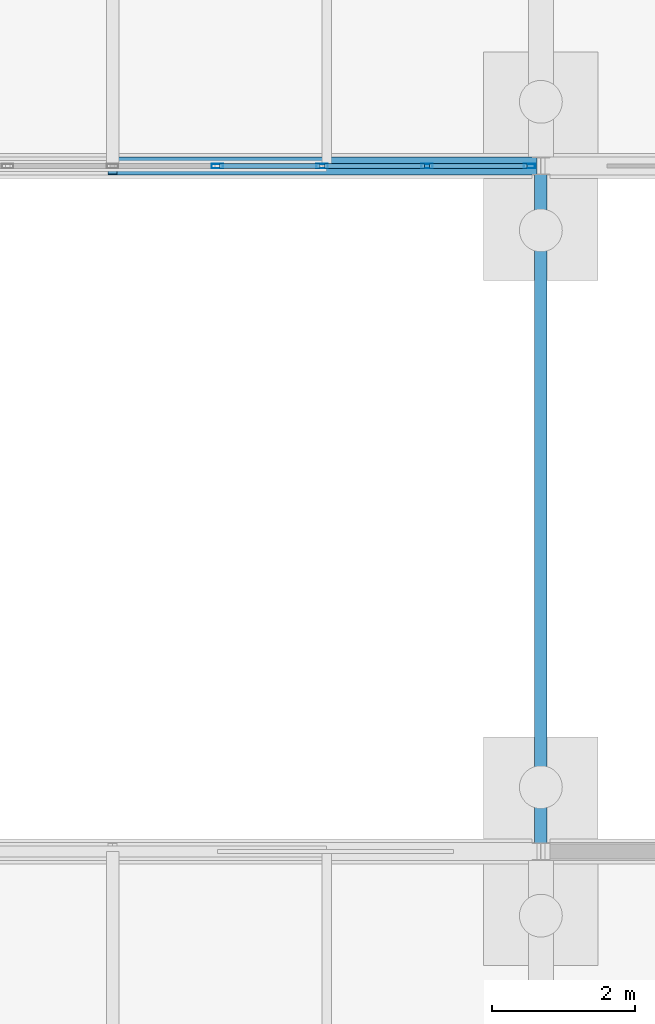
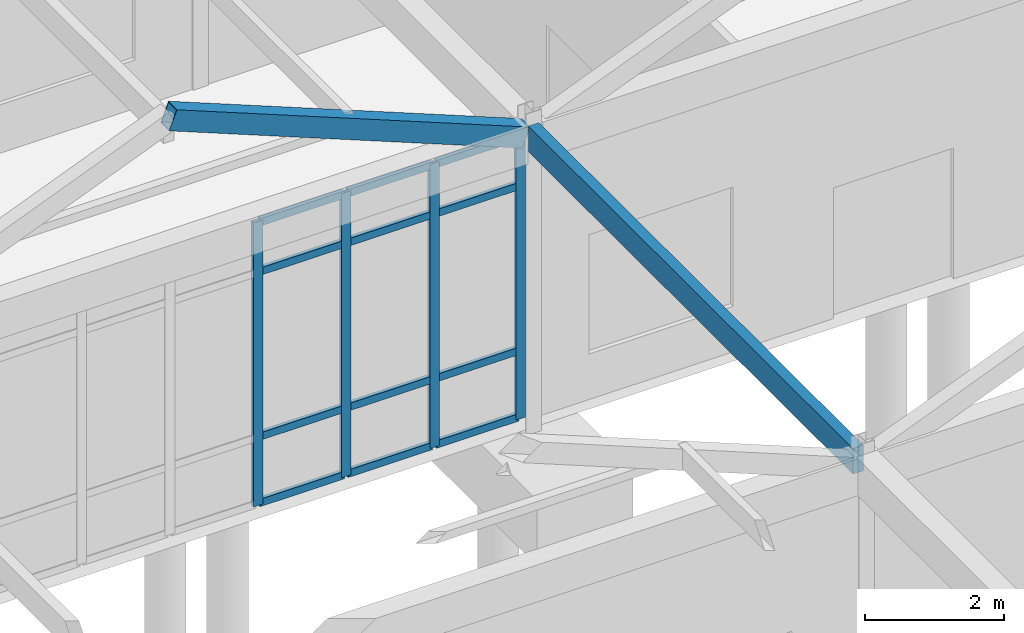
# One storey, part 63 of 188: 18 members, 1 element without a shape of its own.
"""IFC4 building model written with IfcOpenShell, lengths in metres."""

from ifc_helpers import new_model, si_unit, direction, frame, origin, origin_2d, place, context, subcontext, project, spatial, rectangle, hollow_rectangle, extrude, material, layer, layer_set, material_profile, profile_set, type_object, element, aggregate, save


model = new_model("IFC4")

# Units and contexts
model_context = context("Model", 3, precision=1e-05, world=origin(), true_north=direction((0.0, 1.0)))
body_context = subcontext(model_context, "Body", "Model", "MODEL_VIEW")
ifc_project = project(units=[si_unit("LENGTHUNIT", "METRE"), si_unit("AREAUNIT", "SQUARE_METRE"), si_unit("VOLUMEUNIT", "CUBIC_METRE"), si_unit("PLANEANGLEUNIT", "RADIAN"), si_unit("MASSUNIT", "GRAM", prefix="KILO")], contexts=[model_context])

# Site, building, storey
site_placement = place(None, origin())
site = spatial("IfcSite", under=ifc_project, at=site_placement, CompositionType="ELEMENT")
building_placement = place(site_placement, origin())
building = spatial("IfcBuilding", under=site, at=building_placement, Name="Pandanus Reach Market Hall", CompositionType="ELEMENT")
storey_placement = place(building_placement, origin())
storey = spatial("IfcBuildingStorey", under=building, at=storey_placement, Name="L00", CompositionType="ELEMENT", Elevation=0.0)

# Curtain wall, members
ifc_material_1 = material(Name="Bronze anodised aluminium and low-E glass", Category="aluminium")
ifc_layer = layer(ifc_material_1, 0.159912109375, Name="CW-07")
ifc_layer_set = layer_set([ifc_layer], Name="Bronze anodised aluminium and low-E glass")
curtain_wall_type = type_object("IfcCurtainWallType", Name="CW-07", PredefinedType="NOTDEFINED", material=ifc_layer_set)
curtain_wall_placement = place(storey_placement, origin())
curtain_wall = element("IfcCurtainWall", 1, at=curtain_wall_placement, inside=storey, type_object=curtain_wall_type, Name="Glazed curtain wall CW-07 CW-0044", PredefinedType="NOTDEFINED")
ifc_material_2 = material(Name="Bronze anodised aluminium", Category="aluminium")
ifc_material_profile_1 = material_profile(ifc_material_2, hollow_rectangle(XDim=0.06494140625, YDim=0.159912109375, WallThickness=0.00390625, at=origin_2d()), Name="ALU65x160", Category="LoadBearing")
ifc_profile_set_1 = profile_set([ifc_material_profile_1], Name="Bronze anodised aluminium")
member_type_1 = type_object("IfcMemberType", Name="CW-M1", PredefinedType="MULLION", material=ifc_profile_set_1)
member_1_placement = place(storey_placement, frame((7.46826171875, 76.800048828125, 0.0), z_axis=(0.0, 0.0, 1.0), x_axis=(0.0, 1.0, 0.0)))
member_1 = element("IfcMember", 2, at=member_1_placement, type_object=member_type_1, Name="CW-07 mullion 6", PredefinedType="MULLION", context=body_context, shape_type="SweptSolid", body=[
    extrude(hollow_rectangle(XDim=0.06494140625, YDim=0.159912109375, WallThickness=0.00390625, at=origin_2d()), origin(), (0.0, 0.0, 1.0), 5.0),
])
member_2_placement = place(storey_placement, frame((8.9365234375, 76.800048828125, 0.0), z_axis=(0.0, 0.0, 1.0), x_axis=(0.0, 1.0, 0.0)))
member_2 = element("IfcMember", 3, at=member_2_placement, type_object=member_type_1, Name="CW-07 mullion 7", PredefinedType="MULLION", context=body_context, shape_type="SweptSolid", body=[
    extrude(hollow_rectangle(XDim=0.06494140625, YDim=0.159912109375, WallThickness=0.00390625, at=origin_2d()), origin(), (0.0, 0.0, 1.0), 5.0),
])
member_3_placement = place(storey_placement, frame((10.40478515625, 76.800048828125, 0.0), z_axis=(0.0, 0.0, 1.0), x_axis=(0.0, 1.0, 0.0)))
member_3 = element("IfcMember", 4, at=member_3_placement, type_object=member_type_1, Name="CW-07 mullion 8", PredefinedType="MULLION", context=body_context, shape_type="SweptSolid", body=[
    extrude(hollow_rectangle(XDim=0.06494140625, YDim=0.159912109375, WallThickness=0.00390625, at=origin_2d()), origin(), (0.0, 0.0, 1.0), 5.0),
])
member_4_placement = place(storey_placement, frame((11.840576171875, 76.800048828125, 0.0), z_axis=(0.0, 0.0, 1.0), x_axis=(0.0, 1.0, 0.0)))
member_4 = element("IfcMember", 5, at=member_4_placement, type_object=member_type_1, Name="CW-07 mullion 9", PredefinedType="MULLION", context=body_context, shape_type="SweptSolid", body=[
    extrude(hollow_rectangle(XDim=0.06494140625, YDim=0.159912109375, WallThickness=0.00390625, at=origin_2d()), origin(), (0.0, 0.0, 1.0), 5.0),
])
ifc_material_profile_2 = material_profile(ifc_material_2, hollow_rectangle(XDim=0.06494140625, YDim=0.1298828125, WallThickness=0.00390625, at=origin_2d()), Name="ALU65x130", Category="LoadBearing")
ifc_profile_set_2 = profile_set([ifc_material_profile_2], Name="Bronze anodised aluminium")
member_type_2 = type_object("IfcMemberType", Name="CW-T1", PredefinedType="USERDEFINED", material=ifc_profile_set_2)
member_5_placement = place(storey_placement, frame((7.500732421875, 76.800048828125, 0.032470703125), z_axis=(1.0, 0.0, 0.0), x_axis=(0.0, 1.0, 0.0)))
member_5 = element("IfcMember", 6, at=member_5_placement, type_object=member_type_2, Name="CW-07 transom 6.1", ObjectType="TRANSOM", PredefinedType="USERDEFINED", context=body_context, shape_type="SweptSolid", body=[
    extrude(hollow_rectangle(XDim=0.06494140625, YDim=0.1298828125, WallThickness=0.00390625, at=origin_2d()), origin(), (0.0, 0.0, 1.0), 1.4033203125),
])
member_6_placement = place(storey_placement, frame((7.500732421875, 76.800048828125, 1.199951171875), z_axis=(1.0, 0.0, 0.0), x_axis=(0.0, 1.0, 0.0)))
member_6 = element("IfcMember", 7, at=member_6_placement, type_object=member_type_2, Name="CW-07 transom 6.2", ObjectType="TRANSOM", PredefinedType="USERDEFINED", context=body_context, shape_type="SweptSolid", body=[
    extrude(hollow_rectangle(XDim=0.06494140625, YDim=0.1298828125, WallThickness=0.00390625, at=origin_2d()), origin(), (0.0, 0.0, 1.0), 1.4033203125),
])
member_7_placement = place(storey_placement, frame((7.500732421875, 76.800048828125, 4.10009765625), z_axis=(1.0, 0.0, 0.0), x_axis=(0.0, 1.0, 0.0)))
member_7 = element("IfcMember", 8, at=member_7_placement, type_object=member_type_2, Name="CW-07 transom 6.3", ObjectType="TRANSOM", PredefinedType="USERDEFINED", context=body_context, shape_type="SweptSolid", body=[
    extrude(hollow_rectangle(XDim=0.06494140625, YDim=0.1298828125, WallThickness=0.00390625, at=origin_2d()), origin(), (0.0, 0.0, 1.0), 1.4033203125),
])
member_8_placement = place(storey_placement, frame((7.500732421875, 76.800048828125, 4.967529296875), z_axis=(1.0, 0.0, 0.0), x_axis=(0.0, 1.0, 0.0)))
member_8 = element("IfcMember", 9, at=member_8_placement, type_object=member_type_2, Name="CW-07 transom 6.4", ObjectType="TRANSOM", PredefinedType="USERDEFINED", context=body_context, shape_type="SweptSolid", body=[
    extrude(hollow_rectangle(XDim=0.06494140625, YDim=0.1298828125, WallThickness=0.00390625, at=origin_2d()), origin(), (0.0, 0.0, 1.0), 1.4033203125),
])
member_9_placement = place(storey_placement, frame((8.968994140625, 76.800048828125, 0.032470703125), z_axis=(1.0, 0.0, 0.0), x_axis=(0.0, 1.0, 0.0)))
member_9 = element("IfcMember", 10, at=member_9_placement, type_object=member_type_2, Name="CW-07 transom 7.1", ObjectType="TRANSOM", PredefinedType="USERDEFINED", context=body_context, shape_type="SweptSolid", body=[
    extrude(hollow_rectangle(XDim=0.06494140625, YDim=0.1298828125, WallThickness=0.00390625, at=origin_2d()), origin(), (0.0, 0.0, 1.0), 1.4033203125),
])
member_10_placement = place(storey_placement, frame((8.968994140625, 76.800048828125, 1.199951171875), z_axis=(1.0, 0.0, 0.0), x_axis=(0.0, 1.0, 0.0)))
member_10 = element("IfcMember", 11, at=member_10_placement, type_object=member_type_2, Name="CW-07 transom 7.2", ObjectType="TRANSOM", PredefinedType="USERDEFINED", context=body_context, shape_type="SweptSolid", body=[
    extrude(hollow_rectangle(XDim=0.06494140625, YDim=0.1298828125, WallThickness=0.00390625, at=origin_2d()), origin(), (0.0, 0.0, 1.0), 1.4033203125),
])
member_11_placement = place(storey_placement, frame((8.968994140625, 76.800048828125, 4.10009765625), z_axis=(1.0, 0.0, 0.0), x_axis=(0.0, 1.0, 0.0)))
member_11 = element("IfcMember", 12, at=member_11_placement, type_object=member_type_2, Name="CW-07 transom 7.3", ObjectType="TRANSOM", PredefinedType="USERDEFINED", context=body_context, shape_type="SweptSolid", body=[
    extrude(hollow_rectangle(XDim=0.06494140625, YDim=0.1298828125, WallThickness=0.00390625, at=origin_2d()), origin(), (0.0, 0.0, 1.0), 1.4033203125),
])
member_12_placement = place(storey_placement, frame((8.968994140625, 76.800048828125, 4.967529296875), z_axis=(1.0, 0.0, 0.0), x_axis=(0.0, 1.0, 0.0)))
member_12 = element("IfcMember", 13, at=member_12_placement, type_object=member_type_2, Name="CW-07 transom 7.4", ObjectType="TRANSOM", PredefinedType="USERDEFINED", context=body_context, shape_type="SweptSolid", body=[
    extrude(hollow_rectangle(XDim=0.06494140625, YDim=0.1298828125, WallThickness=0.00390625, at=origin_2d()), origin(), (0.0, 0.0, 1.0), 1.4033203125),
])
member_13_placement = place(storey_placement, frame((10.437255859375, 76.800048828125, 0.032470703125), z_axis=(1.0, 0.0, 0.0), x_axis=(0.0, 1.0, 0.0)))
member_13 = element("IfcMember", 14, at=member_13_placement, type_object=member_type_2, Name="CW-07 transom 8.1", ObjectType="TRANSOM", PredefinedType="USERDEFINED", context=body_context, shape_type="SweptSolid", body=[
    extrude(hollow_rectangle(XDim=0.06494140625, YDim=0.1298828125, WallThickness=0.00390625, at=origin_2d()), origin(), (0.0, 0.0, 1.0), 1.370849609375),
])
member_14_placement = place(storey_placement, frame((10.437255859375, 76.800048828125, 1.199951171875), z_axis=(1.0, 0.0, 0.0), x_axis=(0.0, 1.0, 0.0)))
member_14 = element("IfcMember", 15, at=member_14_placement, type_object=member_type_2, Name="CW-07 transom 8.2", ObjectType="TRANSOM", PredefinedType="USERDEFINED", context=body_context, shape_type="SweptSolid", body=[
    extrude(hollow_rectangle(XDim=0.06494140625, YDim=0.1298828125, WallThickness=0.00390625, at=origin_2d()), origin(), (0.0, 0.0, 1.0), 1.370849609375),
])
member_15_placement = place(storey_placement, frame((10.437255859375, 76.800048828125, 4.10009765625), z_axis=(1.0, 0.0, 0.0), x_axis=(0.0, 1.0, 0.0)))
member_15 = element("IfcMember", 16, at=member_15_placement, type_object=member_type_2, Name="CW-07 transom 8.3", ObjectType="TRANSOM", PredefinedType="USERDEFINED", context=body_context, shape_type="SweptSolid", body=[
    extrude(hollow_rectangle(XDim=0.06494140625, YDim=0.1298828125, WallThickness=0.00390625, at=origin_2d()), origin(), (0.0, 0.0, 1.0), 1.370849609375),
])
member_16_placement = place(storey_placement, frame((10.437255859375, 76.800048828125, 4.967529296875), z_axis=(1.0, 0.0, 0.0), x_axis=(0.0, 1.0, 0.0)))
member_16 = element("IfcMember", 17, at=member_16_placement, type_object=member_type_2, Name="CW-07 transom 8.4", ObjectType="TRANSOM", PredefinedType="USERDEFINED", context=body_context, shape_type="SweptSolid", body=[
    extrude(hollow_rectangle(XDim=0.06494140625, YDim=0.1298828125, WallThickness=0.00390625, at=origin_2d()), origin(), (0.0, 0.0, 1.0), 1.370849609375),
])
aggregate(curtain_wall, [member_1, member_2, member_3, member_4, member_5, member_6, member_7, member_8, member_9, member_10, member_11, member_12, member_13, member_14, member_15, member_16])

# Members
ifc_material_3 = material(Name="Glulam timber GL17", Category="wood")
ifc_material_profile_3 = material_profile(ifc_material_3, rectangle(XDim=0.175048828125, YDim=0.449951171875, at=origin_2d()), Name="GL175x450", Category="LoadBearing")
ifc_profile_set_3 = profile_set([ifc_material_profile_3], Name="Glulam timber GL17")
member_type_3 = type_object("IfcMemberType", Name="PR-GL175-E", PredefinedType="PURLIN", material=ifc_profile_set_3)
member_17_placement = place(storey_placement, frame((12.0, 67.320068359375, 4.949951171875), z_axis=(0.0, 1.0, 0.0), x_axis=(-1.0, 0.0, 0.0)))
element("IfcMember", 18, at=member_17_placement, inside=storey, type_object=member_type_3, Name="Breezeway glulam purlin 2.12", PredefinedType="PURLIN", context=body_context, shape_type="SweptSolid", body=[
    extrude(rectangle(XDim=0.175048828125, YDim=0.449951171875, at=origin_2d()), origin(), (0.0, 0.0, 1.0), 9.35986328125),
])
ifc_material_4 = material(Name="Steel Grade 350 (350 MPa)", Category="steel")
ifc_material_profile_4 = material_profile(ifc_material_4, hollow_rectangle(XDim=0.25, YDim=0.35009765625, WallThickness=0.012451171875, at=origin_2d()), Name="350x250x12.5RHS", Category="LoadBearing")
ifc_profile_set_4 = profile_set([ifc_material_profile_4], Name="Steel Grade 350 (350 MPa)")
member_type_4 = type_object("IfcMemberType", Name="RF-RHS350-E", PredefinedType="RAFTER", material=ifc_profile_set_4)
member_18_placement = place(storey_placement, frame((6.0, 76.800048828125, 7.3486328125), z_axis=(0.927845665363, 0.0, -0.372964369971), x_axis=(0.0, 1.0, 0.0)))
element("IfcMember", 19, at=member_18_placement, inside=storey, type_object=member_type_4, Name="Steep gable rafter R3.B1E", PredefinedType="RAFTER", context=body_context, shape_type="SweptSolid", body=[
    extrude(hollow_rectangle(XDim=0.25, YDim=0.35009765625, WallThickness=0.012451171875, at=origin_2d()), origin(), (0.0, 0.0, 1.0), 6.337158203125),
])

save(model, "model.ifc")
